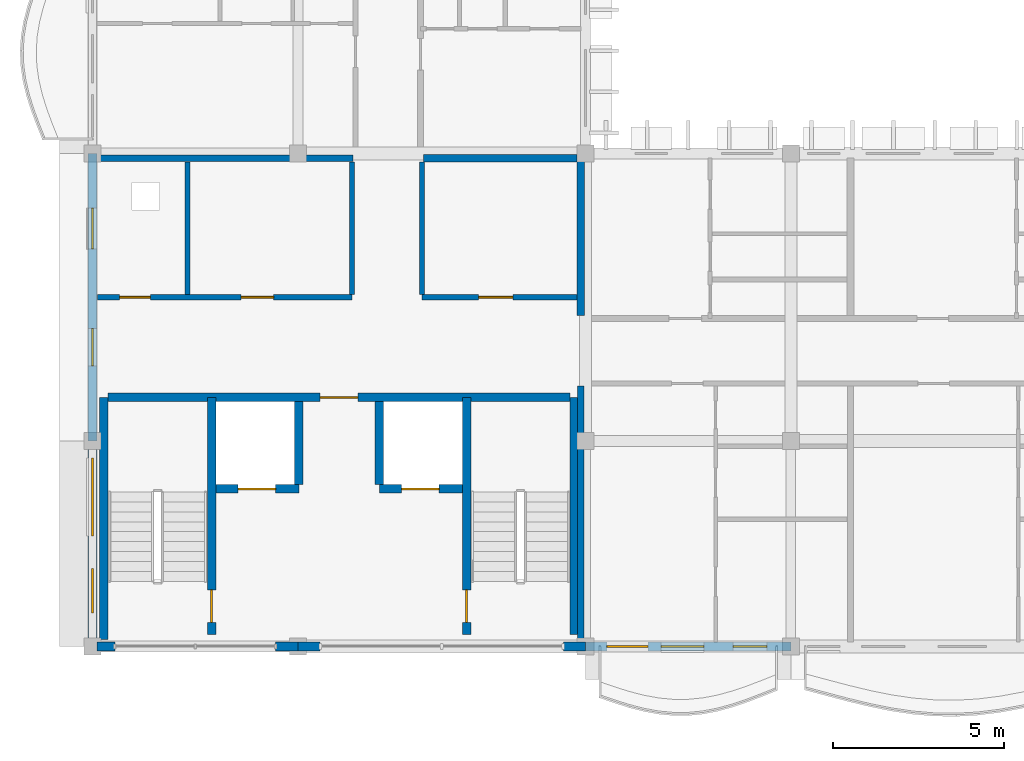
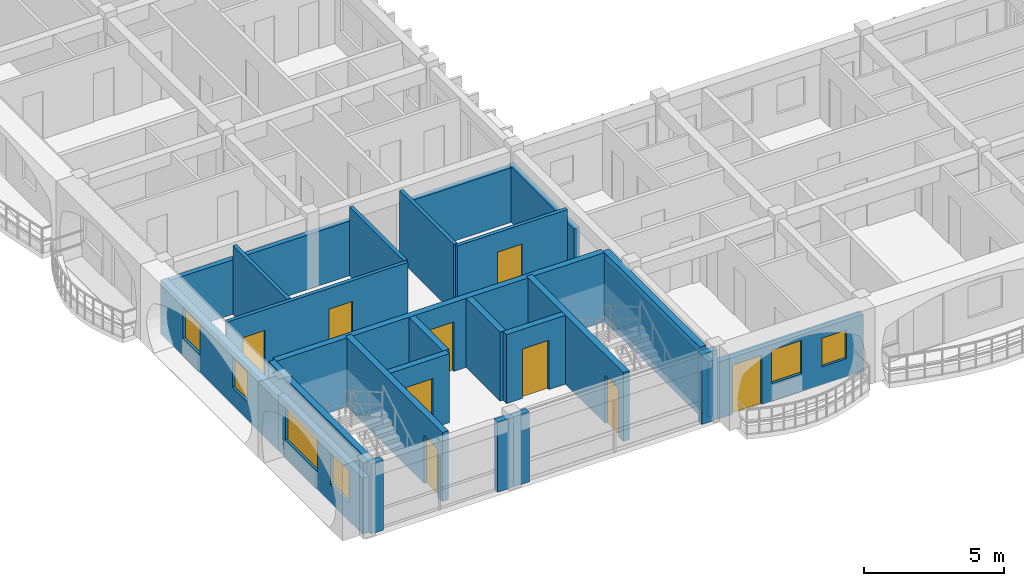
# One storey, part 12 of 59: 25 walls, 9 doors, 6 windows, 15 openings.
"""IFC4 building model written with IfcOpenShell, lengths in metres."""

from ifc_helpers import new_model, si_unit, direction, frame, frame_2d, origin, place, context, subcontext, project, spatial, rectangle, extrude, material, layer, layer_set, type_object, element, fill, save


model = new_model("IFC4")

# Units and contexts
model_context = context("Model", 3, precision=1e-05, world=origin(), true_north=direction((0.0, 1.0)))
body_context = subcontext(model_context, "Body", "Model", "MODEL_VIEW")
ifc_project = project(units=[si_unit("LENGTHUNIT", "METRE"), si_unit("AREAUNIT", "SQUARE_METRE"), si_unit("VOLUMEUNIT", "CUBIC_METRE"), si_unit("PLANEANGLEUNIT", "RADIAN"), si_unit("MASSUNIT", "GRAM", prefix="KILO"), si_unit("THERMODYNAMICTEMPERATUREUNIT", "KELVIN")], contexts=[model_context])

# Site, building, storey
site_placement = place(None, origin())
site = spatial("IfcSite", under=ifc_project, at=site_placement, CompositionType="ELEMENT")
building_placement = place(site_placement, origin())
building = spatial("IfcBuilding", under=site, at=building_placement, Name="Thalorik Housing Commons", CompositionType="ELEMENT")
storey_placement = place(building_placement, frame((0.0, 0.0, 27.89990234375)))
storey = spatial("IfcBuildingStorey", under=building, at=storey_placement, Name="L08", CompositionType="ELEMENT", Elevation=27.89990234375)

# Wall, opening, door
ifc_material_1 = material(Name="Concrete C40/50", Category="concrete")
ifc_layer_1 = layer(ifc_material_1, 0.25, Name="Concrete C40/50", Category="concrete")
ifc_layer_set_1 = layer_set([ifc_layer_1], Name="Concrete C40/50")
wall_type_1 = type_object("IfcWallType", Name="ARC-WAL-CORE-250", PredefinedType="SHEAR", material=ifc_layer_set_1)
wall_1_placement = place(storey_placement, frame((11.875, 8.75, 0.0), z_axis=(0.0, 0.0, 1.0), x_axis=(0.0, 1.0, 0.0)))
wall_1 = element("IfcWall", 1, at=wall_1_placement, inside=storey, type_object=wall_type_1, Name="L08 Core C Stair 1 Shear Wall", PredefinedType="SHEAR", context=body_context, shape_type="SweptSolid", body=[
    extrude(rectangle(XDim=6.925048828125, YDim=0.25, at=frame_2d((3.46240234375, 0.0))), origin(), (0.0, 0.0, 1.0), 3.0),
])
opening_1_placement = place(wall_1_placement, frame((0.35009765625, 0.0, 0.0)))
opening_1 = element("IfcOpeningElement", 2, at=opening_1_placement, cuts=wall_1, Name="Opening ID-0321", PredefinedType="OPENING", context=body_context, shape_type="SweptSolid", body=[
    extrude(rectangle(XDim=0.949951171875, YDim=2.10009765625, at=frame_2d((0.47509765625, 1.050048828125))), frame((0.0, 0.135009765625, 0.0), z_axis=(0.0, -1.0, 0.0), x_axis=(1.0, 0.0, 0.0)), (0.0, 0.0, 1.0), 0.27001953125),
])
ifc_material_2 = material(Name="Steel S355", Category="steel")
door_type_1 = type_object("IfcDoorType", Name="ARC-DR-FD60-950", OperationType="NOTDEFINED", PredefinedType="DOOR", material=ifc_material_2)
door_1_placement = place(opening_1_placement, origin())
door_1 = element("IfcDoor", 3, at=door_1_placement, inside=storey, type_object=door_type_1, Name="L08 Stair ST-C1 Fire Door", OperationType="SINGLE_SWING_RIGHT", OverallHeight=2.10009765625, OverallWidth=0.949951171875, PredefinedType="DOOR", context=body_context, shape_type="SweptSolid", body=[
    extrude(rectangle(XDim=0.949951171875, YDim=2.10009765625, at=frame_2d((0.47509765625, 1.050048828125))), frame((0.0, 0.02490234375, 0.0), z_axis=(0.0, -1.0, 0.0), x_axis=(1.0, 0.0, 0.0)), (0.0, 0.0, 1.0), 0.050048828125),
])
fill(opening_1, door_1)

# Walls
wall_2_placement = place(storey_placement, frame((8.72509765625, 8.60009765625, 0.0), z_axis=(0.0, 0.0, 1.0), x_axis=(0.0, 1.0, 0.0)))
element("IfcWall", 4, at=wall_2_placement, inside=storey, type_object=wall_type_1, Name="L08 Core C Stair 1 Outer Shear Wall", PredefinedType="SHEAR", context=body_context, shape_type="SweptSolid", body=[
    extrude(rectangle(XDim=7.074951171875, YDim=0.25, at=frame_2d((3.53759765625, 0.0))), origin(), (0.0, 0.0, 1.0), 3.0),
])
wall_3_placement = place(storey_placement, frame((22.47509765625, 8.75, 0.0), z_axis=(0.0, 0.0, 1.0), x_axis=(0.0, 1.0, 0.0)))
element("IfcWall", 5, at=wall_3_placement, inside=storey, type_object=wall_type_1, Name="L08 Core C Stair 2 Outer Shear Wall", PredefinedType="SHEAR", context=body_context, shape_type="SweptSolid", body=[
    extrude(rectangle(XDim=6.925048828125, YDim=0.25, at=frame_2d((3.46240234375, 0.0))), origin(), (0.0, 0.0, 1.0), 3.0),
])

# Wall, opening, door
wall_4_placement = place(storey_placement, frame((19.324951171875, 8.75, 0.0), z_axis=(0.0, 0.0, 1.0), x_axis=(0.0, 1.0, 0.0)))
wall_4 = element("IfcWall", 6, at=wall_4_placement, inside=storey, type_object=wall_type_1, Name="L08 Core C Stair 2 Shear Wall", PredefinedType="SHEAR", context=body_context, shape_type="SweptSolid", body=[
    extrude(rectangle(XDim=6.925048828125, YDim=0.25, at=frame_2d((3.46240234375, 0.0))), origin(), (0.0, 0.0, 1.0), 3.0),
])
opening_2_placement = place(wall_4_placement, frame((0.35009765625, 0.0, 0.0)))
opening_2 = element("IfcOpeningElement", 7, at=opening_2_placement, cuts=wall_4, Name="Opening ID-0322", PredefinedType="OPENING", context=body_context, shape_type="SweptSolid", body=[
    extrude(rectangle(XDim=0.949951171875, YDim=2.10009765625, at=frame_2d((0.47509765625, 1.050048828125))), frame((0.0, 0.135009765625, 0.0), z_axis=(0.0, -1.0, 0.0), x_axis=(1.0, 0.0, 0.0)), (0.0, 0.0, 1.0), 0.27001953125),
])
door_2_placement = place(opening_2_placement, origin())
door_2 = element("IfcDoor", 8, at=door_2_placement, inside=storey, type_object=door_type_1, Name="L08 Stair ST-C2 Fire Door", OperationType="SINGLE_SWING_LEFT", OverallHeight=2.10009765625, OverallWidth=0.949951171875, PredefinedType="DOOR", context=body_context, shape_type="SweptSolid", body=[
    extrude(rectangle(XDim=0.949951171875, YDim=2.10009765625, at=frame_2d((0.47509765625, 1.050048828125))), frame((0.0, 0.02490234375, 0.0), z_axis=(0.0, -1.0, 0.0), x_axis=(1.0, 0.0, 0.0)), (0.0, 0.0, 1.0), 0.050048828125),
])
fill(opening_2, door_2)

wall_5_placement = place(storey_placement, frame((12.0, 13.0, 0.0), z_axis=(0.0, 0.0, 1.0), x_axis=(1.0, 0.0, 0.0)))
wall_5 = element("IfcWall", 9, at=wall_5_placement, inside=storey, type_object=wall_type_1, Name="L08 Lift LF-C1 Front Shaft Wall", PredefinedType="SHEAR", context=body_context, shape_type="SweptSolid", body=[
    extrude(rectangle(XDim=2.425048828125, YDim=0.25, at=frame_2d((1.21240234375, 0.0))), origin(), (0.0, 0.0, 1.0), 3.0),
])
opening_3_placement = place(wall_5_placement, frame((0.64990234375, 0.0, 0.0)))
opening_3 = element("IfcOpeningElement", 10, at=opening_3_placement, cuts=wall_5, Name="Opening LD-LF-C1-L08", PredefinedType="OPENING", context=body_context, shape_type="SweptSolid", body=[
    extrude(rectangle(XDim=1.10009765625, YDim=2.14990234375, at=frame_2d((0.550048828125, 1.074951171875))), frame((0.0, 0.135009765625, 0.0), z_axis=(0.0, -1.0, 0.0), x_axis=(1.0, 0.0, 0.0)), (0.0, 0.0, 1.0), 0.27001953125),
])
door_type_2 = type_object("IfcDoorType", Name="ARC-DR-LIFT-1100", OperationType="NOTDEFINED", PredefinedType="DOOR", material=ifc_material_2)
door_3_placement = place(opening_3_placement, origin())
door_3 = element("IfcDoor", 11, at=door_3_placement, inside=storey, type_object=door_type_2, Name="L08 Lift LF-C1 Landing Door", OperationType="SLIDING_TO_LEFT", OverallHeight=2.14990234375, OverallWidth=1.10009765625, PredefinedType="DOOR", context=body_context, shape_type="SweptSolid", body=[
    extrude(rectangle(XDim=1.10009765625, YDim=2.14990234375, at=frame_2d((0.550048828125, 1.074951171875))), frame((0.0, 0.02490234375, 0.0), z_axis=(0.0, -1.0, 0.0), x_axis=(1.0, 0.0, 0.0)), (0.0, 0.0, 1.0), 0.050048828125),
])
fill(opening_3, door_3)

wall_6_placement = place(storey_placement, frame((16.77490234375, 13.0, 0.0), z_axis=(0.0, 0.0, 1.0), x_axis=(1.0, 0.0, 0.0)))
wall_6 = element("IfcWall", 12, at=wall_6_placement, inside=storey, type_object=wall_type_1, Name="L08 Lift LP-C2 Front Shaft Wall", PredefinedType="SHEAR", context=body_context, shape_type="SweptSolid", body=[
    extrude(rectangle(XDim=2.425048828125, YDim=0.25, at=frame_2d((1.21240234375, 0.0))), origin(), (0.0, 0.0, 1.0), 3.0),
])
opening_4_placement = place(wall_6_placement, frame((0.64990234375, 0.0, 0.0)))
opening_4 = element("IfcOpeningElement", 13, at=opening_4_placement, cuts=wall_6, Name="Opening LD-LP-C2-L08", PredefinedType="OPENING", context=body_context, shape_type="SweptSolid", body=[
    extrude(rectangle(XDim=1.10009765625, YDim=2.14990234375, at=frame_2d((0.550048828125, 1.074951171875))), frame((0.0, 0.135009765625, 0.0), z_axis=(0.0, -1.0, 0.0), x_axis=(1.0, 0.0, 0.0)), (0.0, 0.0, 1.0), 0.27001953125),
])
door_4_placement = place(opening_4_placement, origin())
door_4 = element("IfcDoor", 14, at=door_4_placement, inside=storey, type_object=door_type_2, Name="L08 Lift LP-C2 Landing Door", OperationType="SLIDING_TO_LEFT", OverallHeight=2.14990234375, OverallWidth=1.10009765625, PredefinedType="DOOR", context=body_context, shape_type="SweptSolid", body=[
    extrude(rectangle(XDim=1.10009765625, YDim=2.14990234375, at=frame_2d((0.550048828125, 1.074951171875))), frame((0.0, 0.02490234375, 0.0), z_axis=(0.0, -1.0, 0.0), x_axis=(1.0, 0.0, 0.0)), (0.0, 0.0, 1.0), 0.050048828125),
])
fill(opening_4, door_4)

# Walls
for number, where, z_axis, x_axis, name in (
    (15, (14.425048828125, 13.125, 0.0), (0.0, 0.0, 1.0), (0.0, 1.0, 0.0), "L08 Lift 1 Cheek Wall"),
    (16, (16.77490234375, 13.125, 0.0), (0.0, 0.0, 1.0), (0.0, 1.0, 0.0), "L08 Lift 2 Cheek Wall"),
):
    element("IfcWall", number, at=place(storey_placement, frame(where, z_axis=z_axis, x_axis=x_axis)), inside=storey, type_object=wall_type_1, Name=name, PredefinedType="SHEAR", context=body_context, shape_type="SweptSolid", body=[
        extrude(rectangle(XDim=2.425048828125, YDim=0.25, at=frame_2d((1.21240234375, 0.0))), origin(), (0.0, 0.0, 1.0), 3.0),
    ])

# Wall, opening, door
wall_7_placement = place(storey_placement, frame((8.85009765625, 15.675048828125, 0.0), z_axis=(0.0, 0.0, 1.0), x_axis=(1.0, 0.0, 0.0)))
wall_7 = element("IfcWall", 17, at=wall_7_placement, inside=storey, type_object=wall_type_1, Name="L08 Core C Spine Shear Wall", PredefinedType="SHEAR", context=body_context, shape_type="SweptSolid", body=[
    extrude(rectangle(XDim=13.5, YDim=0.25, at=frame_2d((6.75, 0.0))), origin(), (0.0, 0.0, 1.0), 3.0),
])
opening_5_placement = place(wall_7_placement, frame((6.199951171875, 0.0, 0.0)))
opening_5 = element("IfcOpeningElement", 18, at=opening_5_placement, cuts=wall_7, Name="Opening ID-0325", PredefinedType="OPENING", context=body_context, shape_type="SweptSolid", body=[
    extrude(rectangle(XDim=1.10009765625, YDim=2.14990234375, at=frame_2d((0.550048828125, 1.074951171875))), frame((0.0, 0.135009765625, 0.0), z_axis=(0.0, -1.0, 0.0), x_axis=(1.0, 0.0, 0.0)), (0.0, 0.0, 1.0), 0.27001953125),
])
door_type_3 = type_object("IfcDoorType", Name="ARC-DR-FD60-1100", OperationType="NOTDEFINED", PredefinedType="DOOR", material=ifc_material_2)
door_5_placement = place(opening_5_placement, origin())
door_5 = element("IfcDoor", 19, at=door_5_placement, inside=storey, type_object=door_type_3, Name="L08 Core C Lobby Fire Door", OperationType="SINGLE_SWING_RIGHT", OverallHeight=2.14990234375, OverallWidth=1.10009765625, PredefinedType="DOOR", context=body_context, shape_type="SweptSolid", body=[
    extrude(rectangle(XDim=1.10009765625, YDim=2.14990234375, at=frame_2d((0.550048828125, 1.074951171875))), frame((0.0, 0.02490234375, 0.0), z_axis=(0.0, -1.0, 0.0), x_axis=(1.0, 0.0, 0.0)), (0.0, 0.0, 1.0), 0.050048828125),
])
fill(opening_5, door_5)

# Wall, openings, windows
ifc_material_3 = material(Name="White precast concrete C40/50", Category="concrete")
ifc_layer_2 = layer(ifc_material_3, 0.264892578125, Name="White precast concrete C40/50", Category="concrete")
ifc_layer_set_2 = layer_set([ifc_layer_2], Name="White precast concrete C40/50")
wall_type_2 = type_object("IfcWallType", Name="ARC-WAL-EXT-265", PredefinedType="STANDARD", material=ifc_layer_set_2)
wall_8_placement = place(storey_placement, frame((8.39990234375, 22.800048828125, 0.0), z_axis=(0.0, 0.0, 1.0), x_axis=(0.0, -1.0, 0.0)))
wall_8 = element("IfcWall", 20, at=wall_8_placement, inside=storey, type_object=wall_type_2, Name="L08 Exterior Wall WAL-EXT-L08-C-1053", PredefinedType="STANDARD", context=body_context, shape_type="SweptSolid", body=[
    extrude(rectangle(XDim=8.400146484375, YDim=0.264892578125, at=frame_2d((4.2001953125, 0.0))), origin(), (0.0, 0.0, 1.0), 2.34521484375),
])
opening_6_placement = place(wall_8_placement, frame((1.594970703125, 0.0, 0.780029296875)))
opening_6 = element("IfcOpeningElement", 21, at=opening_6_placement, cuts=wall_8, Name="Opening W-04", PredefinedType="OPENING", context=body_context, shape_type="SweptSolid", body=[
    extrude(rectangle(XDim=1.199951171875, YDim=1.35009765625, at=frame_2d((0.60009765625, 0.675048828125))), frame((0.0, 0.142578125, 0.0), z_axis=(0.0, -1.0, 0.0), x_axis=(1.0, 0.0, 0.0)), (0.0, 0.0, 1.0), 0.284912109375),
])
opening_7_placement = place(wall_8_placement, frame((5.112548828125, 0.0, 0.780029296875)))
opening_7 = element("IfcOpeningElement", 22, at=opening_7_placement, cuts=wall_8, Name="Opening W-03", PredefinedType="OPENING", context=body_context, shape_type="SweptSolid", body=[
    extrude(rectangle(XDim=1.10009765625, YDim=1.300048828125, at=frame_2d((0.550048828125, 0.64990234375))), frame((0.0, 0.142578125, 0.0), z_axis=(0.0, -1.0, 0.0), x_axis=(1.0, 0.0, 0.0)), (0.0, 0.0, 1.0), 0.284912109375),
])
ifc_material_4 = material(Name="Anodised aluminium and solar-control low-E glass", Category="aluminium")
window_type_1 = type_object("IfcWindowType", Name="ARC-WIN-03", PartitioningType="SINGLE_PANEL", PredefinedType="WINDOW", material=ifc_material_4)
window_1_placement = place(opening_7_placement, origin())
window_1 = element("IfcWindow", 23, at=window_1_placement, inside=storey, type_object=window_type_1, Name="L08 Facade Window 1947", OverallHeight=1.300048828125, OverallWidth=1.10009765625, PartitioningType="SINGLE_PANEL", PredefinedType="WINDOW", context=body_context, shape_type="SweptSolid", body=[
    extrude(rectangle(XDim=1.10009765625, YDim=1.300048828125, at=frame_2d((0.550048828125, 0.64990234375))), frame((0.0, 0.030029296875, 0.0), z_axis=(0.0, -1.0, 0.0), x_axis=(1.0, 0.0, 0.0)), (0.0, 0.0, 1.0), 0.06005859375),
])
fill(opening_7, window_1)
window_type_2 = type_object("IfcWindowType", Name="ARC-WIN-04", PartitioningType="SINGLE_PANEL", PredefinedType="WINDOW", material=ifc_material_4)
window_2_placement = place(opening_6_placement, origin())
window_2 = element("IfcWindow", 24, at=window_2_placement, inside=storey, type_object=window_type_2, Name="L08 Facade Window 1946", OverallHeight=1.35009765625, OverallWidth=1.199951171875, PartitioningType="SINGLE_PANEL", PredefinedType="WINDOW", context=body_context, shape_type="SweptSolid", body=[
    extrude(rectangle(XDim=1.199951171875, YDim=1.35009765625, at=frame_2d((0.60009765625, 0.675048828125))), frame((0.0, 0.030029296875, 0.0), z_axis=(0.0, -1.0, 0.0), x_axis=(1.0, 0.0, 0.0)), (0.0, 0.0, 1.0), 0.06005859375),
])
fill(opening_6, window_2)

wall_9_placement = place(storey_placement, frame((8.39990234375, 14.39990234375, 0.0), z_axis=(0.0, 0.0, 1.0), x_axis=(0.0, -1.0, 0.0)))
wall_9 = element("IfcWall", 25, at=wall_9_placement, inside=storey, type_object=wall_type_2, Name="L08 Exterior Wall WAL-EXT-L08-C-1054", PredefinedType="STANDARD", context=body_context, shape_type="SweptSolid", body=[
    extrude(rectangle(XDim=6.0, YDim=0.264892578125, at=frame_2d((3.0, 0.0))), origin(), (0.0, 0.0, 1.0), 2.445068359375),
])
opening_8_placement = place(wall_9_placement, frame((0.489990234375, 0.0, 0.780029296875)))
opening_8 = element("IfcOpeningElement", 26, at=opening_8_placement, cuts=wall_9, Name="Opening W-67", PredefinedType="OPENING", context=body_context, shape_type="SweptSolid", body=[
    extrude(rectangle(XDim=2.280029296875, YDim=1.4599609375, at=frame_2d((1.14013671875, 0.72998046875))), frame((0.0, 0.142578125, 0.0), z_axis=(0.0, -1.0, 0.0), x_axis=(1.0, 0.0, 0.0)), (0.0, 0.0, 1.0), 0.284912109375),
])
opening_9_placement = place(wall_9_placement, frame((3.719970703125, 0.0, 0.780029296875)))
opening_9 = element("IfcOpeningElement", 27, at=opening_9_placement, cuts=wall_9, Name="Opening W-06", PredefinedType="OPENING", context=body_context, shape_type="SweptSolid", body=[
    extrude(rectangle(XDim=1.300048828125, YDim=1.39990234375, at=frame_2d((0.64990234375, 0.699951171875))), frame((0.0, 0.142578125, 0.0), z_axis=(0.0, -1.0, 0.0), x_axis=(1.0, 0.0, 0.0)), (0.0, 0.0, 1.0), 0.284912109375),
])
window_type_3 = type_object("IfcWindowType", Name="ARC-WIN-06", PartitioningType="SINGLE_PANEL", PredefinedType="WINDOW", material=ifc_material_4)
window_3_placement = place(opening_9_placement, origin())
window_3 = element("IfcWindow", 28, at=window_3_placement, inside=storey, type_object=window_type_3, Name="L08 Facade Window 1949", OverallHeight=1.39990234375, OverallWidth=1.300048828125, PartitioningType="SINGLE_PANEL", PredefinedType="WINDOW", context=body_context, shape_type="SweptSolid", body=[
    extrude(rectangle(XDim=1.300048828125, YDim=1.39990234375, at=frame_2d((0.64990234375, 0.699951171875))), frame((0.0, 0.030029296875, 0.0), z_axis=(0.0, -1.0, 0.0), x_axis=(1.0, 0.0, 0.0)), (0.0, 0.0, 1.0), 0.06005859375),
])
fill(opening_9, window_3)
window_type_4 = type_object("IfcWindowType", Name="ARC-WIN-67", PartitioningType="DOUBLE_PANEL_VERTICAL", PredefinedType="WINDOW", material=ifc_material_4)
window_4_placement = place(opening_8_placement, origin())
window_4 = element("IfcWindow", 29, at=window_4_placement, inside=storey, type_object=window_type_4, Name="L08 Facade Window 1948", OverallHeight=1.4599609375, OverallWidth=2.280029296875, PartitioningType="DOUBLE_PANEL_VERTICAL", PredefinedType="WINDOW", context=body_context, shape_type="SweptSolid", body=[
    extrude(rectangle(XDim=2.280029296875, YDim=1.4599609375, at=frame_2d((1.14013671875, 0.72998046875))), frame((0.0, 0.030029296875, 0.0), z_axis=(0.0, -1.0, 0.0), x_axis=(1.0, 0.0, 0.0)), (0.0, 0.0, 1.0), 0.06005859375),
])
fill(opening_8, window_4)

# Walls
wall_10_placement = place(storey_placement, frame((8.534423828125, 8.39990234375, 0.0), z_axis=(0.0, 0.0, 1.0), x_axis=(1.0, 0.0, 0.0)))
element("IfcWall", 30, at=wall_10_placement, inside=storey, type_object=wall_type_2, Name="L08 Exterior Wall WAL-PIERL-L08-C-1055", PredefinedType="STANDARD", context=body_context, shape_type="SweptSolid", body=[
    extrude(rectangle(XDim=0.515625, YDim=0.264892578125, at=frame_2d((0.2578125, 0.0))), origin(), (0.0, 0.0, 1.0), 3.0400390625),
])
wall_11_placement = place(storey_placement, frame((13.75, 8.39990234375, 0.0), z_axis=(0.0, 0.0, 1.0), x_axis=(1.0, 0.0, 0.0)))
element("IfcWall", 31, at=wall_11_placement, inside=storey, type_object=wall_type_2, Name="L08 Exterior Wall WAL-PIERR-L08-C-1055", PredefinedType="STANDARD", context=body_context, shape_type="SweptSolid", body=[
    extrude(rectangle(XDim=0.64990234375, YDim=0.264892578125, at=frame_2d((0.324951171875, 0.0))), origin(), (0.0, 0.0, 1.0), 3.0400390625),
])
for number, where, z_axis, x_axis, name in (
    (32, (14.39990234375, 8.39990234375, 0.0), (0.0, 0.0, 1.0), (1.0, 0.0, 0.0), "L08 Exterior Wall WAL-PIERL-L08-C-1056"),
    (33, (22.14990234375, 8.39990234375, 0.0), (0.0, 0.0, 1.0), (1.0, 0.0, 0.0), "L08 Exterior Wall WAL-PIERR-L08-C-1056"),
):
    element("IfcWall", number, at=place(storey_placement, frame(where, z_axis=z_axis, x_axis=x_axis)), inside=storey, type_object=wall_type_2, Name=name, PredefinedType="STANDARD", context=body_context, shape_type="SweptSolid", body=[
        extrude(rectangle(XDim=0.650146484375, YDim=0.264892578125, at=frame_2d((0.3251953125, 0.0))), origin(), (0.0, 0.0, 1.0), 3.0400390625),
    ])

# Wall, openings, door, windows
wall_12_placement = place(storey_placement, frame((22.800048828125, 8.39990234375, 0.0), z_axis=(0.0, 0.0, 1.0), x_axis=(1.0, 0.0, 0.0)))
wall_12 = element("IfcWall", 34, at=wall_12_placement, inside=storey, type_object=wall_type_2, Name="L08 Exterior Wall WAL-EXT-L08-C-1057", PredefinedType="STANDARD", context=body_context, shape_type="SweptSolid", body=[
    extrude(rectangle(XDim=6.0, YDim=0.264892578125, at=frame_2d((3.0, 0.0))), origin(), (0.0, 0.0, 1.0), 2.47509765625),
])
opening_10_placement = place(wall_12_placement, frame((0.6201171875, 0.0, 0.0)))
opening_10 = element("IfcOpeningElement", 35, at=opening_10_placement, cuts=wall_12, Name="Opening ED-0353", PredefinedType="OPENING", context=body_context, shape_type="SweptSolid", body=[
    extrude(rectangle(XDim=1.199951171875, YDim=2.14990234375, at=frame_2d((0.60009765625, 1.074951171875))), frame((0.0, 0.142578125, 0.0), z_axis=(0.0, -1.0, 0.0), x_axis=(1.0, 0.0, 0.0)), (0.0, 0.0, 1.0), 0.284912109375),
])
opening_11_placement = place(wall_12_placement, frame((2.2099609375, 0.0, 0.780029296875)))
opening_11 = element("IfcOpeningElement", 36, at=opening_11_placement, cuts=wall_12, Name="Opening W-47", PredefinedType="OPENING", context=body_context, shape_type="SweptSolid", body=[
    extrude(rectangle(XDim=1.25, YDim=1.449951171875, at=frame_2d((0.625, 0.72509765625))), frame((0.0, 0.142578125, 0.0), z_axis=(0.0, -1.0, 0.0), x_axis=(1.0, 0.0, 0.0)), (0.0, 0.0, 1.0), 0.284912109375),
])
opening_12_placement = place(wall_12_placement, frame((4.304931640625, 0.0, 0.780029296875)))
opening_12 = element("IfcOpeningElement", 37, at=opening_12_placement, cuts=wall_12, Name="Opening W-02", PredefinedType="OPENING", context=body_context, shape_type="SweptSolid", body=[
    extrude(rectangle(XDim=1.0, YDim=1.25, at=frame_2d((0.5, 0.625))), frame((0.0, 0.142578125, 0.0), z_axis=(0.0, -1.0, 0.0), x_axis=(1.0, 0.0, 0.0)), (0.0, 0.0, 1.0), 0.284912109375),
])
ifc_material_5 = material(Name="Anodised aluminium and laminated safety glass", Category="aluminium")
door_type_4 = type_object("IfcDoorType", Name="ARC-DR-BAL-1200", OperationType="NOTDEFINED", PredefinedType="DOOR", material=ifc_material_5)
door_6_placement = place(opening_10_placement, frame((1.199951171875, 0.0, 0.0), z_axis=(0.0, 0.0, 1.0), x_axis=(-1.0, 0.0, 0.0)))
door_6 = element("IfcDoor", 38, at=door_6_placement, inside=storey, type_object=door_type_4, Name="L08 Block C Balcony Glazed Door", OperationType="SINGLE_SWING_RIGHT", OverallHeight=2.14990234375, OverallWidth=1.199951171875, PredefinedType="DOOR", context=body_context, shape_type="SweptSolid", body=[
    extrude(rectangle(XDim=1.199951171875, YDim=2.14990234375, at=frame_2d((0.60009765625, 1.074951171875))), frame((0.0, 0.02490234375, 0.0), z_axis=(0.0, -1.0, 0.0), x_axis=(1.0, 0.0, 0.0)), (0.0, 0.0, 1.0), 0.050048828125),
])
fill(opening_10, door_6)
window_type_5 = type_object("IfcWindowType", Name="ARC-WIN-02", PartitioningType="SINGLE_PANEL", PredefinedType="WINDOW", material=ifc_material_4)
window_5_placement = place(opening_12_placement, origin())
window_5 = element("IfcWindow", 39, at=window_5_placement, inside=storey, type_object=window_type_5, Name="L08 Facade Window 1951", OverallHeight=1.25, OverallWidth=1.0, PartitioningType="SINGLE_PANEL", PredefinedType="WINDOW", context=body_context, shape_type="SweptSolid", body=[
    extrude(rectangle(XDim=1.0, YDim=1.25, at=frame_2d((0.5, 0.625))), frame((0.0, 0.030029296875, 0.0), z_axis=(0.0, -1.0, 0.0), x_axis=(1.0, 0.0, 0.0)), (0.0, 0.0, 1.0), 0.06005859375),
])
fill(opening_12, window_5)
window_type_6 = type_object("IfcWindowType", Name="ARC-WIN-47", PartitioningType="SINGLE_PANEL", PredefinedType="WINDOW", material=ifc_material_4)
window_6_placement = place(opening_11_placement, origin())
window_6 = element("IfcWindow", 40, at=window_6_placement, inside=storey, type_object=window_type_6, Name="L08 Facade Window 1950", OverallHeight=1.449951171875, OverallWidth=1.25, PartitioningType="SINGLE_PANEL", PredefinedType="WINDOW", context=body_context, shape_type="SweptSolid", body=[
    extrude(rectangle(XDim=1.25, YDim=1.449951171875, at=frame_2d((0.625, 0.72509765625))), frame((0.0, 0.030029296875, 0.0), z_axis=(0.0, -1.0, 0.0), x_axis=(1.0, 0.0, 0.0)), (0.0, 0.0, 1.0), 0.06005859375),
])
fill(opening_11, window_6)

# Walls
ifc_material_6 = material(Name="Ceramic masonry partition wall", Category="masonry")
ifc_layer_3 = layer(ifc_material_6, 0.14794921875, Name="Ceramic masonry partition wall", Category="masonry")
ifc_layer_set_3 = layer_set([ifc_layer_3], Name="Ceramic masonry partition wall")
wall_type_3 = type_object("IfcWallType", Name="ARC-WAL-PART-150", PredefinedType="PARTITIONING", material=ifc_layer_set_3)
for number, where, z_axis, x_axis, name in (
    (41, (11.175048828125, 18.676025390625, 0.0), (0.0, 0.0, 1.0), (0.0, 1.0, 0.0), "Riser Wall"),
    (42, (15.97509765625, 18.676025390625, 0.0), (0.0, 0.0, 1.0), (0.0, 1.0, 0.0), "Core Stem West Cheek Wall"),
):
    element("IfcWall", number, at=place(storey_placement, frame(where, z_axis=z_axis, x_axis=x_axis)), inside=storey, type_object=wall_type_3, Name=name, PredefinedType="PARTITIONING", context=body_context, shape_type="SweptSolid", body=[
        extrude(rectangle(XDim=3.882080078125, YDim=0.14794921875, at=frame_2d((1.94091796875, 0.0))), origin(), (0.0, 0.0, 1.0), 3.0),
    ])
wall_13_placement = place(storey_placement, frame((18.02490234375, 18.676025390625, 0.0), z_axis=(0.0, 0.0, 1.0), x_axis=(0.0, 1.0, 0.0)))
element("IfcWall", 43, at=wall_13_placement, inside=storey, type_object=wall_type_3, Name="Core Stem East Cheek Wall", PredefinedType="PARTITIONING", context=body_context, shape_type="SweptSolid", body=[
    extrude(rectangle(XDim=3.8720703125, YDim=0.14794921875, at=frame_2d((1.93603515625, 0.0))), origin(), (0.0, 0.0, 1.0), 3.0),
])

# Wall, openings, doors
wall_14_placement = place(storey_placement, frame((8.5400390625, 18.60009765625, 0.0), z_axis=(0.0, 0.0, 1.0), x_axis=(1.0, 0.0, 0.0)))
wall_14 = element("IfcWall", 44, at=wall_14_placement, inside=storey, type_object=wall_type_3, Name="L08 Core C West Corridor Partition", PredefinedType="PARTITIONING", context=body_context, shape_type="SweptSolid", body=[
    extrude(rectangle(XDim=7.43505859375, YDim=0.14794921875, at=frame_2d((3.717529296875, 0.0))), origin(), (0.0, 0.0, 1.0), 3.0),
])
opening_13_placement = place(wall_14_placement, frame((0.64990234375, 0.0, 0.0)))
opening_13 = element("IfcOpeningElement", 45, at=opening_13_placement, cuts=wall_14, Name="Opening ID-0326", PredefinedType="OPENING", context=body_context, shape_type="SweptSolid", body=[
    extrude(rectangle(XDim=0.89990234375, YDim=2.10009765625, at=frame_2d((0.449951171875, 1.050048828125))), frame((0.0, 0.083984375, 0.0), z_axis=(0.0, -1.0, 0.0), x_axis=(1.0, 0.0, 0.0)), (0.0, 0.0, 1.0), 0.16796875),
])
opening_14_placement = place(wall_14_placement, frame((4.199951171875, 0.0, 0.0)))
opening_14 = element("IfcOpeningElement", 46, at=opening_14_placement, cuts=wall_14, Name="Opening ID-0327", PredefinedType="OPENING", context=body_context, shape_type="SweptSolid", body=[
    extrude(rectangle(XDim=0.949951171875, YDim=2.10009765625, at=frame_2d((0.47509765625, 1.050048828125))), frame((0.0, 0.083984375, 0.0), z_axis=(0.0, -1.0, 0.0), x_axis=(1.0, 0.0, 0.0)), (0.0, 0.0, 1.0), 0.16796875),
])
door_type_5 = type_object("IfcDoorType", Name="ARC-DR-FD60-900", OperationType="NOTDEFINED", PredefinedType="DOOR", material=ifc_material_2)
door_7_placement = place(opening_13_placement, origin())
door_7 = element("IfcDoor", 47, at=door_7_placement, inside=storey, type_object=door_type_5, Name="Electrical Riser Door", OperationType="SINGLE_SWING_LEFT", OverallHeight=2.10009765625, OverallWidth=0.89990234375, PredefinedType="DOOR", context=body_context, shape_type="SweptSolid", body=[
    extrude(rectangle(XDim=0.89990234375, YDim=2.10009765625, at=frame_2d((0.449951171875, 1.050048828125))), frame((0.0, 0.02490234375, 0.0), z_axis=(0.0, -1.0, 0.0), x_axis=(1.0, 0.0, 0.0)), (0.0, 0.0, 1.0), 0.050048828125),
])
fill(opening_13, door_7)
ifc_material_7 = material(Name="Engineered oak timber", Category="wood")
door_type_6 = type_object("IfcDoorType", Name="ARC-DR-INT-950", OperationType="NOTDEFINED", PredefinedType="DOOR", material=ifc_material_7)
door_8_placement = place(opening_14_placement, origin())
door_8 = element("IfcDoor", 48, at=door_8_placement, inside=storey, type_object=door_type_6, Name="Accessible Bathroom Door", OperationType="SINGLE_SWING_RIGHT", OverallHeight=2.10009765625, OverallWidth=0.949951171875, PredefinedType="DOOR", context=body_context, shape_type="SweptSolid", body=[
    extrude(rectangle(XDim=0.949951171875, YDim=2.10009765625, at=frame_2d((0.47509765625, 1.050048828125))), frame((0.0, 0.02490234375, 0.0), z_axis=(0.0, -1.0, 0.0), x_axis=(1.0, 0.0, 0.0)), (0.0, 0.0, 1.0), 0.050048828125),
])
fill(opening_14, door_8)

# Wall, opening, door
wall_15_placement = place(storey_placement, frame((18.02490234375, 18.60009765625, 0.0), z_axis=(0.0, 0.0, 1.0), x_axis=(1.0, 0.0, 0.0)))
wall_15 = element("IfcWall", 49, at=wall_15_placement, inside=storey, type_object=wall_type_3, Name="L08 Core C East Corridor Partition", PredefinedType="PARTITIONING", context=body_context, shape_type="SweptSolid", body=[
    extrude(rectangle(XDim=4.523193359375, YDim=0.14794921875, at=frame_2d((2.26171875, 0.0))), origin(), (0.0, 0.0, 1.0), 3.0),
])
opening_15_placement = place(wall_15_placement, frame((1.64990234375, 0.0, 0.0)))
opening_15 = element("IfcOpeningElement", 50, at=opening_15_placement, cuts=wall_15, Name="Opening ID-0328", PredefinedType="OPENING", context=body_context, shape_type="SweptSolid", body=[
    extrude(rectangle(XDim=1.0, YDim=2.14990234375, at=frame_2d((0.5, 1.074951171875))), frame((0.0, 0.083984375, 0.0), z_axis=(0.0, -1.0, 0.0), x_axis=(1.0, 0.0, 0.0)), (0.0, 0.0, 1.0), 0.16796875),
])
door_type_7 = type_object("IfcDoorType", Name="ARC-DR-FD60-1000", OperationType="NOTDEFINED", PredefinedType="DOOR", material=ifc_material_2)
door_9_placement = place(opening_15_placement, origin())
door_9 = element("IfcDoor", 51, at=door_9_placement, inside=storey, type_object=door_type_7, Name="Core Hub Room Door", OperationType="SINGLE_SWING_LEFT", OverallHeight=2.14990234375, OverallWidth=1.0, PredefinedType="DOOR", context=body_context, shape_type="SweptSolid", body=[
    extrude(rectangle(XDim=1.0, YDim=2.14990234375, at=frame_2d((0.5, 1.074951171875))), frame((0.0, 0.02490234375, 0.0), z_axis=(0.0, -1.0, 0.0), x_axis=(1.0, 0.0, 0.0)), (0.0, 0.0, 1.0), 0.050048828125),
])
fill(opening_15, door_9)

# Walls
ifc_material_8 = material(Name="Precast concrete C40/50 acoustic wall", Category="concrete")
ifc_layer_4 = layer(ifc_material_8, 0.199951171875, Name="Precast concrete C40/50 acoustic wall", Category="concrete")
ifc_layer_set_4 = layer_set([ifc_layer_4], Name="Precast concrete C40/50 acoustic wall")
wall_type_4 = type_object("IfcWallType", Name="ARC-WAL-PARTY-200", PredefinedType="PARTITIONING", material=ifc_layer_set_4)
wall_16_placement = place(storey_placement, frame((8.534423828125, 22.659912109375, 0.0), z_axis=(0.0, 0.0, 1.0), x_axis=(1.0, 0.0, 0.0)))
element("IfcWall", 52, at=wall_16_placement, inside=storey, type_object=wall_type_4, Name="L08 Inter-Tenancy Wall 0A", PredefinedType="PARTITIONING", context=body_context, shape_type="SweptSolid", body=[
    extrude(rectangle(XDim=7.468505859375, YDim=0.199951171875, at=frame_2d((3.734375, 0.0))), origin(), (0.0, 0.0, 1.0), 2.375),
])
wall_17_placement = place(storey_placement, frame((22.659912109375, 8.534423828125, 0.0), z_axis=(0.0, 0.0, 1.0), x_axis=(0.0, 1.0, 0.0)))
element("IfcWall", 53, at=wall_17_placement, inside=storey, type_object=wall_type_4, Name="L08 Inter-Tenancy Wall 0A", PredefinedType="PARTITIONING", context=body_context, shape_type="SweptSolid", body=[
    extrude(rectangle(XDim=7.468505859375, YDim=0.199951171875, at=frame_2d((3.734375, 0.0))), origin(), (0.0, 0.0, 1.0), 2.425048828125),
])
ifc_layer_5 = layer(ifc_material_8, 0.219970703125, Name="Precast concrete C40/50 acoustic wall", Category="concrete")
ifc_layer_set_5 = layer_set([ifc_layer_5], Name="Precast concrete C40/50 acoustic wall")
wall_type_5 = type_object("IfcWallType", Name="ARC-WAL-PARTY-220", PredefinedType="PARTITIONING", material=ifc_layer_set_5)
wall_18_placement = place(storey_placement, frame((18.064453125, 22.659912109375, 0.0), z_axis=(0.0, 0.0, 1.0), x_axis=(1.0, 0.0, 0.0)))
element("IfcWall", 54, at=wall_18_placement, inside=storey, type_object=wall_type_5, Name="L08 Inter-Tenancy Wall 0B", PredefinedType="PARTITIONING", context=body_context, shape_type="SweptSolid", body=[
    extrude(rectangle(XDim=4.483642578125, YDim=0.219970703125, at=frame_2d((2.24169921875, 0.0))), origin(), (0.0, 0.0, 1.0), 2.375),
])
wall_19_placement = place(storey_placement, frame((22.659912109375, 18.064453125, 0.0), z_axis=(0.0, 0.0, 1.0), x_axis=(0.0, 1.0, 0.0)))
element("IfcWall", 55, at=wall_19_placement, inside=storey, type_object=wall_type_5, Name="L08 Inter-Tenancy Wall 0B", PredefinedType="PARTITIONING", context=body_context, shape_type="SweptSolid", body=[
    extrude(rectangle(XDim=4.675537109375, YDim=0.219970703125, at=frame_2d((2.337890625, 0.0))), origin(), (0.0, 0.0, 1.0), 2.425048828125),
])

save(model, "model.ifc")
